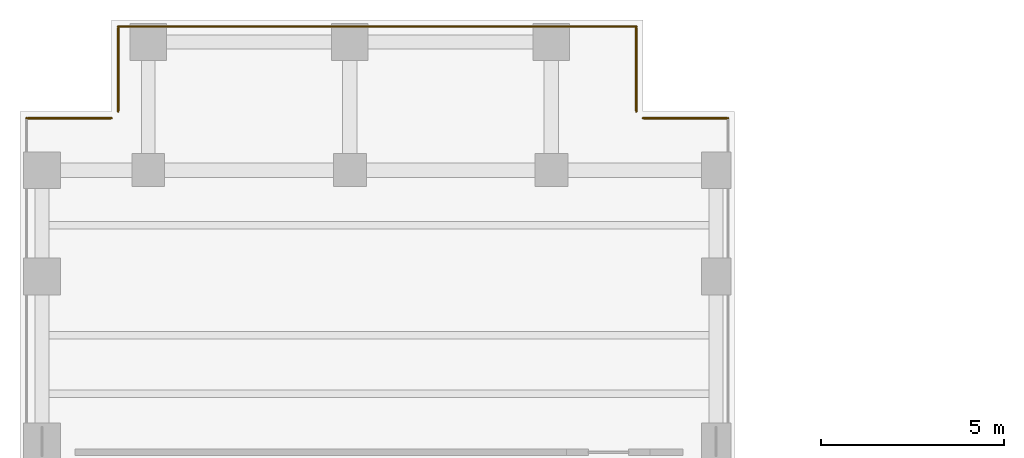
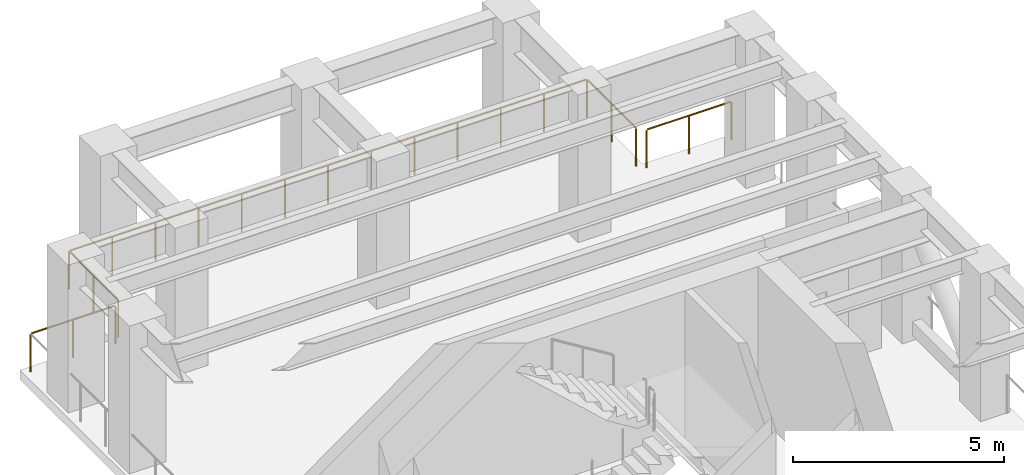
# One storey, part 14 of 14: 5 railings.
"""IFC4 building model written with IfcOpenShell, lengths in metres."""

from ifc_helpers import new_model, si_unit, direction, frame, origin, origin_2d, place, context, subcontext, project, spatial, circle, extrude, source, transform, mapped, material, layer, layer_set, type_object, element, save


model = new_model("IFC4")

# Units and contexts
model_context = context("Model", 3, precision=1e-05, world=origin(), true_north=direction((0.0, 1.0)))
body_context = subcontext(model_context, "Body", "Model", "MODEL_VIEW")
ifc_project = project(units=[si_unit("LENGTHUNIT", "METRE"), si_unit("AREAUNIT", "SQUARE_METRE"), si_unit("VOLUMEUNIT", "CUBIC_METRE"), si_unit("PLANEANGLEUNIT", "RADIAN"), si_unit("MASSUNIT", "GRAM", prefix="KILO")], contexts=[model_context])

# Site, building, storey
site_placement = place(None, origin())
site = spatial("IfcSite", under=ifc_project, at=site_placement, CompositionType="ELEMENT")
building_placement = place(site_placement, origin())
building = spatial("IfcBuilding", under=site, at=building_placement, Name="Kharzan Plaza Tower", CompositionType="ELEMENT")
storey_placement = place(building_placement, frame((0.0, 0.0, 207.89990234375)))
storey = spatial("IfcBuildingStorey", under=building, at=storey_placement, Name="L56", CompositionType="ELEMENT", Elevation=207.89990234375)

# Railings
ifc_material = material(Name="Painted Galvanized Architectural Steel", Category="steel")
ifc_layer = layer(ifc_material, 0.074951171875)
ifc_layer_set = layer_set([ifc_layer], Name="Painted Galvanized Architectural Steel")
railing_type = type_object("IfcRailingType", Name="RL-GUARD-1120", PredefinedType="BALUSTRADE", material=ifc_layer_set)
shared_shape_1 = source(origin(), body_context, "Body", "SweptSolid", [
    extrude(circle(Radius=0.02392578125, at=origin_2d()), frame((0.0, -0.0263671875, 1.09619140625), z_axis=(0.0, -1.0, 0.0), x_axis=(1.0, 0.0, 0.0)), (0.0, 0.0, 1.0), 2.26708984375),
    extrude(circle(Radius=0.02099609375, at=origin_2d()), origin(), (0.0, 0.0, 1.0), 1.072021484375),
    extrude(circle(Radius=0.02099609375, at=origin_2d()), frame((0.0, -1.16015625, 0.0)), (0.0, 0.0, 1.0), 1.072021484375),
    extrude(circle(Radius=0.02099609375, at=origin_2d()), frame((0.0, -2.320068359375, 0.0)), (0.0, 0.0, 1.0), 1.072021484375),
])
railing_1_placement = place(storey_placement, frame((16.820068359375, 41.820068359375, 0.0)))
element("IfcRailing", 1, at=railing_1_placement, inside=storey, type_object=railing_type, Name="L56 Open Refuge Floor Perimeter Guard 114", PredefinedType="BALUSTRADE", context=body_context, shape_type="MappedRepresentation", body=[
    mapped(shared_shape_1, transform((0.0, 0.0, 0.0), x_axis=(1.0, 0.0, 0.0), y_axis=(0.0, 1.0, 0.0), z_axis=(0.0, 0.0, 1.0))),
])
shared_shape_2 = source(origin(), body_context, "Body", "SweptSolid", [
    extrude(circle(Radius=0.02392578125, at=origin_2d()), frame((0.0, 0.0263671875, 1.09619140625), z_axis=(0.0, 1.0, 0.0), x_axis=(-1.0, 0.0, 0.0)), (0.0, 0.0, 1.0), 2.26708984375),
    extrude(circle(Radius=0.02099609375, at=origin_2d()), origin(), (0.0, 0.0, 1.0), 1.072021484375),
    extrude(circle(Radius=0.02099609375, at=origin_2d()), frame((0.0, 1.16015625, 0.0)), (0.0, 0.0, 1.0), 1.072021484375),
    extrude(circle(Radius=0.02099609375, at=origin_2d()), frame((0.0, 2.320068359375, 0.0)), (0.0, 0.0, 1.0), 1.072021484375),
])
railing_2_placement = place(storey_placement, frame((2.679931640625, 39.5, 0.0)))
element("IfcRailing", 2, at=railing_2_placement, inside=storey, type_object=railing_type, Name="L56 Open Refuge Floor Perimeter Guard 112", PredefinedType="BALUSTRADE", context=body_context, shape_type="MappedRepresentation", body=[
    mapped(shared_shape_2, transform((0.0, 0.0, 0.0), x_axis=(1.0, 0.0, 0.0), y_axis=(0.0, 1.0, 0.0), z_axis=(0.0, 0.0, 1.0))),
])
shared_shape_3 = source(origin(), body_context, "Body", "SweptSolid", [
    extrude(circle(Radius=0.02392578125, at=origin_2d()), frame((0.0263671875, 0.0, 1.09619140625), z_axis=(1.0, 0.0, 0.0), x_axis=(0.0, 1.0, 0.0)), (0.0, 0.0, 1.0), 14.087158203125),
    extrude(circle(Radius=0.02099609375, at=origin_2d()), origin(), (0.0, 0.0, 1.0), 1.072021484375),
    extrude(circle(Radius=0.02099609375, at=origin_2d()), frame((1.17822265625, 0.0, 0.0)), (0.0, 0.0, 1.0), 1.072021484375),
    extrude(circle(Radius=0.02099609375, at=origin_2d()), frame((2.356689453125, 0.0, 0.0)), (0.0, 0.0, 1.0), 1.072021484375),
    extrude(circle(Radius=0.02099609375, at=origin_2d()), frame((3.53515625, 0.0, 0.0)), (0.0, 0.0, 1.0), 1.072021484375),
    extrude(circle(Radius=0.02099609375, at=origin_2d()), frame((4.71337890625, 0.0, 0.0)), (0.0, 0.0, 1.0), 1.072021484375),
    extrude(circle(Radius=0.02099609375, at=origin_2d()), frame((5.8916015625, 0.0, 0.0)), (0.0, 0.0, 1.0), 1.072021484375),
    extrude(circle(Radius=0.02099609375, at=origin_2d()), frame((7.070068359375, 0.0, 0.0)), (0.0, 0.0, 1.0), 1.072021484375),
    extrude(circle(Radius=0.02099609375, at=origin_2d()), frame((8.24853515625, 0.0, 0.0)), (0.0, 0.0, 1.0), 1.072021484375),
    extrude(circle(Radius=0.02099609375, at=origin_2d()), frame((9.4267578125, 0.0, 0.0)), (0.0, 0.0, 1.0), 1.072021484375),
    extrude(circle(Radius=0.02099609375, at=origin_2d()), frame((10.60498046875, 0.0, 0.0)), (0.0, 0.0, 1.0), 1.072021484375),
    extrude(circle(Radius=0.02099609375, at=origin_2d()), frame((11.783447265625, 0.0, 0.0)), (0.0, 0.0, 1.0), 1.072021484375),
    extrude(circle(Radius=0.02099609375, at=origin_2d()), frame((12.9619140625, 0.0, 0.0)), (0.0, 0.0, 1.0), 1.072021484375),
    extrude(circle(Radius=0.02099609375, at=origin_2d()), frame((14.14013671875, 0.0, 0.0)), (0.0, 0.0, 1.0), 1.072021484375),
])
railing_3_placement = place(storey_placement, frame((2.679931640625, 41.820068359375, 0.0)))
element("IfcRailing", 3, at=railing_3_placement, inside=storey, type_object=railing_type, Name="L56 Open Refuge Floor Perimeter Guard 113", PredefinedType="BALUSTRADE", context=body_context, shape_type="MappedRepresentation", body=[
    mapped(shared_shape_3, transform((0.0, 0.0, 0.0), x_axis=(1.0, 0.0, 0.0), y_axis=(0.0, 1.0, 0.0), z_axis=(0.0, 0.0, 1.0))),
])
shared_shape_4 = source(origin(), body_context, "Body", "SweptSolid", [
    extrude(circle(Radius=0.02392578125, at=origin_2d()), frame((0.0263671875, 0.0, 1.09619140625), z_axis=(1.0, 0.0, 0.0), x_axis=(0.0, 1.0, 0.0)), (0.0, 0.0, 1.0), 2.26708984375),
    extrude(circle(Radius=0.02099609375, at=origin_2d()), origin(), (0.0, 0.0, 1.0), 1.072021484375),
    extrude(circle(Radius=0.02099609375, at=origin_2d()), frame((1.16015625, 0.0, 0.0)), (0.0, 0.0, 1.0), 1.072021484375),
    extrude(circle(Radius=0.02099609375, at=origin_2d()), frame((2.320068359375, 0.0, 0.0)), (0.0, 0.0, 1.0), 1.072021484375),
])
for number, where, name in (
    (4, (17.0, 39.320068359375, 0.0), "L56 Open Refuge Floor Perimeter Guard 131"),
    (5, (0.179931640625, 39.320068359375, 0.0), "L56 Open Refuge Floor Perimeter Guard 95"),
):
    element("IfcRailing", number, at=place(storey_placement, frame(where)), inside=storey, type_object=railing_type, Name=name, PredefinedType="BALUSTRADE", context=body_context, shape_type="MappedRepresentation", body=[
        mapped(shared_shape_4, transform((0.0, 0.0, 0.0), x_axis=(1.0, 0.0, 0.0), y_axis=(0.0, 1.0, 0.0), z_axis=(0.0, 0.0, 1.0))),
    ])

save(model, "model.ifc")
